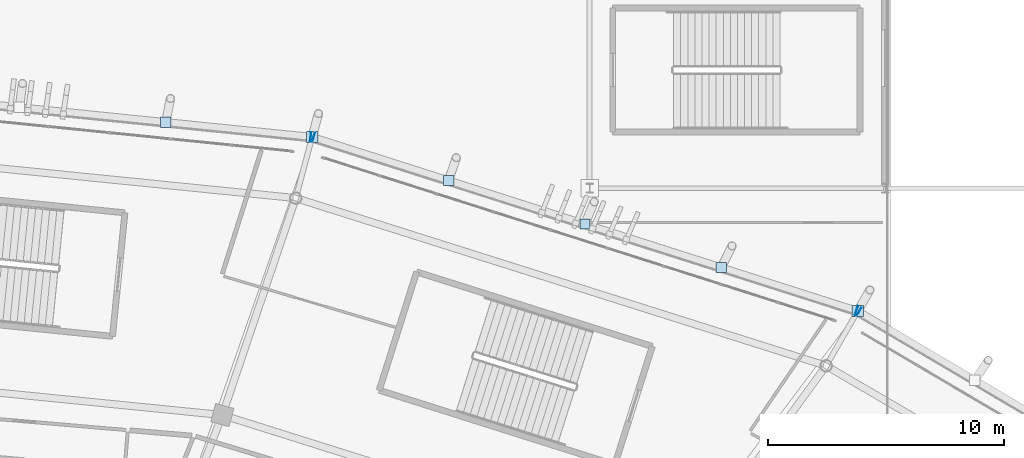
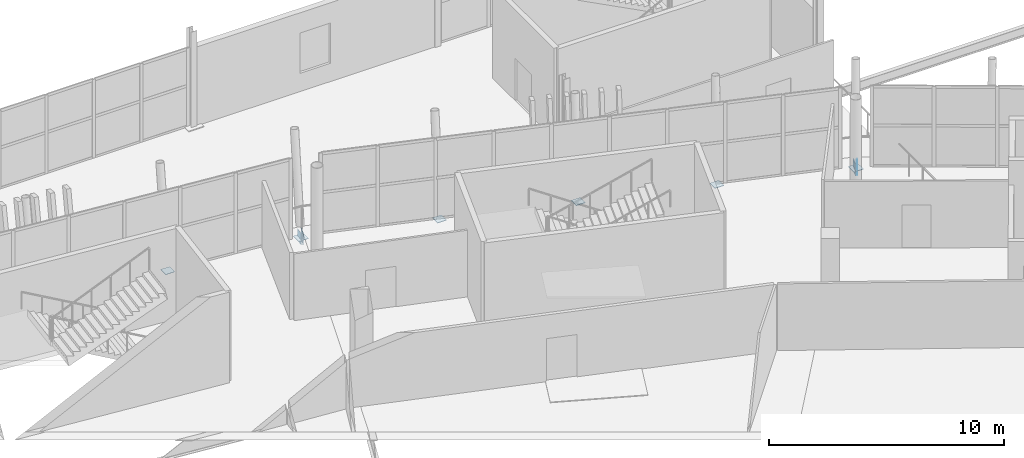
# One storey, part 120 of 179: 10 plates.
"""IFC4 building model written with IfcOpenShell, lengths in metres."""

from ifc_helpers import new_model, si_unit, direction, frame, origin, origin_2d, place, context, subcontext, project, spatial, rectangle, extrude, material, layer, layer_set, type_object, element, save


model = new_model("IFC4")

# Units and contexts
model_context = context("Model", 3, precision=1e-05, world=origin(), true_north=direction((0.0, 1.0)))
body_context = subcontext(model_context, "Body", "Model", "MODEL_VIEW")
ifc_project = project(units=[si_unit("LENGTHUNIT", "METRE"), si_unit("AREAUNIT", "SQUARE_METRE"), si_unit("VOLUMEUNIT", "CUBIC_METRE"), si_unit("PLANEANGLEUNIT", "RADIAN"), si_unit("MASSUNIT", "GRAM", prefix="KILO")], contexts=[model_context])

# Site, building, storey
site_placement = place(None, origin())
site = spatial("IfcSite", under=ifc_project, at=site_placement, CompositionType="ELEMENT")
building_placement = place(site_placement, origin())
building = spatial("IfcBuilding", under=site, at=building_placement, Name="Zlatoyarsky Gate Stadium", CompositionType="ELEMENT")
storey_placement = place(building_placement, frame((0.0, 0.0, 10.60009765625)))
storey = spatial("IfcBuildingStorey", under=building, at=storey_placement, Name="L02", CompositionType="ELEMENT", Elevation=10.60009765625)

# Plates
ifc_material = material(Name="Steel S355", Category="steel")
ifc_layer = layer(ifc_material, 0.02392578125)
ifc_layer_set = layer_set([ifc_layer], Name="Steel S355")
plate_type = type_object("IfcPlateType", Name="STEEL HOLLOW CHORD SPLICE SHEET 24", PredefinedType="SHEET", material=ifc_layer_set)
for number, where, z_axis, x_axis, name in (
    (1, (158.8896484375, 143.774658203125, -0.830078125), (0.0, 0.0, 1.0), (-0.86093457238, 0.508715698678, 0.0), "Hollow end cap ND-SP1 CAP-L02-SPD-03 B"),
    (2, (158.78076171875, 143.823486328125, -0.830078125), (0.0, 0.0, 1.0), (-0.952708915846, 0.303884388653, 0.0), "Hollow end cap ND-SP1 CAP-L02-SPD-04 A"),
    (3, (135.81982421875, 151.147216796875, -0.830078125), (0.0, 0.0, 1.0), (-0.952708915846, 0.303884388653, 0.0), "Hollow end cap ND-SP1 CAP-L02-SPD-04 B"),
):
    element("IfcPlate", number, at=place(storey_placement, frame(where, z_axis=z_axis, x_axis=x_axis)), inside=storey, type_object=plate_type, Name=name, PredefinedType="SHEET", context=body_context, shape_type="SweptSolid", body=[
        extrude(rectangle(XDim=0.02392578125, YDim=0.39990234375, at=origin_2d()), origin(), (0.0, 0.0, 1.0), 0.60009765625),
    ])
plate_1_placement = place(storey_placement, frame((158.837890625, 143.80517578125, -0.592041015625), z_axis=(0.0, 0.0, 1.0), x_axis=(1.0, 0.0, 0.0)))
element("IfcPlate", 4, at=plate_1_placement, inside=storey, type_object=plate_type, Name="Node closure plate ND-SP1 NCAP-L02-RSTR-04", PredefinedType="SHEET", context=body_context, shape_type="SweptSolid", body=[
    extrude(rectangle(XDim=0.47998046875, YDim=0.47998046875, at=origin_2d()), origin(), (0.0, 0.0, 1.0), 0.02392578125),
])
plate_2_placement = place(storey_placement, frame((135.702880859375, 151.171630859375, -0.830078125), z_axis=(0.0, 0.0, 1.0), x_axis=(-0.994900496236, 0.100861303726, 0.0)))
element("IfcPlate", 5, at=plate_2_placement, inside=storey, type_object=plate_type, Name="Hollow end cap ND-SP1 CAP-L02-SPD-05 A", PredefinedType="SHEET", context=body_context, shape_type="SweptSolid", body=[
    extrude(rectangle(XDim=0.02392578125, YDim=0.39990234375, at=origin_2d()), origin(), (0.0, 0.0, 1.0), 0.60009765625),
])
plate_3_placement = place(storey_placement, frame((135.7626953125, 151.16552734375, -0.592041015625), z_axis=(0.0, 0.0, 1.0), x_axis=(1.0, 0.0, 0.0)))
element("IfcPlate", 6, at=plate_3_placement, inside=storey, type_object=plate_type, Name="Node closure plate ND-SP1 NCAP-L02-RSTR-05", PredefinedType="SHEET", context=body_context, shape_type="SweptSolid", body=[
    extrude(rectangle(XDim=0.47998046875, YDim=0.47998046875, at=origin_2d()), origin(), (0.0, 0.0, 1.0), 0.02392578125),
])
for number, where, z_axis, x_axis, name in (
    (7, (153.069091796875, 145.645263671875, -0.5419921875), (0.0, 0.0, 1.0), (1.0, 0.0, 0.0), "Node closure plate ND-SP1 NCAP-RIB-04-1-0T"),
    (8, (147.30029296875, 147.4853515625, -0.5419921875), (0.0, 0.0, 1.0), (1.0, 0.0, 0.0), "Node closure plate ND-SP1 NCAP-RIB-04-2-0T"),
    (9, (141.531494140625, 149.325439453125, -0.5419921875), (0.0, 0.0, 1.0), (1.0, 0.0, 0.0), "Node closure plate ND-SP1 NCAP-RIB-04-3-0T"),
    (10, (129.572021484375, 151.793212890625, -0.5419921875), (0.0, 0.0, 1.0), (1.0, 0.0, 0.0), "Node closure plate ND-SP1 NCAP-RIB-05-1-0T"),
):
    element("IfcPlate", number, at=place(storey_placement, frame(where, z_axis=z_axis, x_axis=x_axis)), inside=storey, type_object=plate_type, Name=name, PredefinedType="SHEET", context=body_context, shape_type="SweptSolid", body=[
        extrude(rectangle(XDim=0.43994140625, YDim=0.43994140625, at=origin_2d()), origin(), (0.0, 0.0, 1.0), 0.02392578125),
    ])

save(model, "model.ifc")
